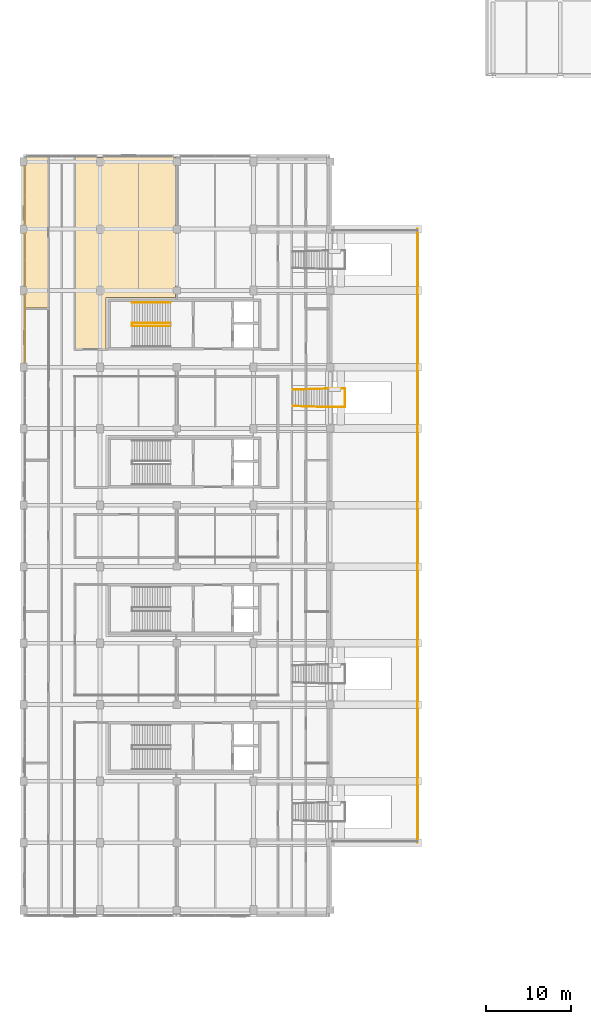
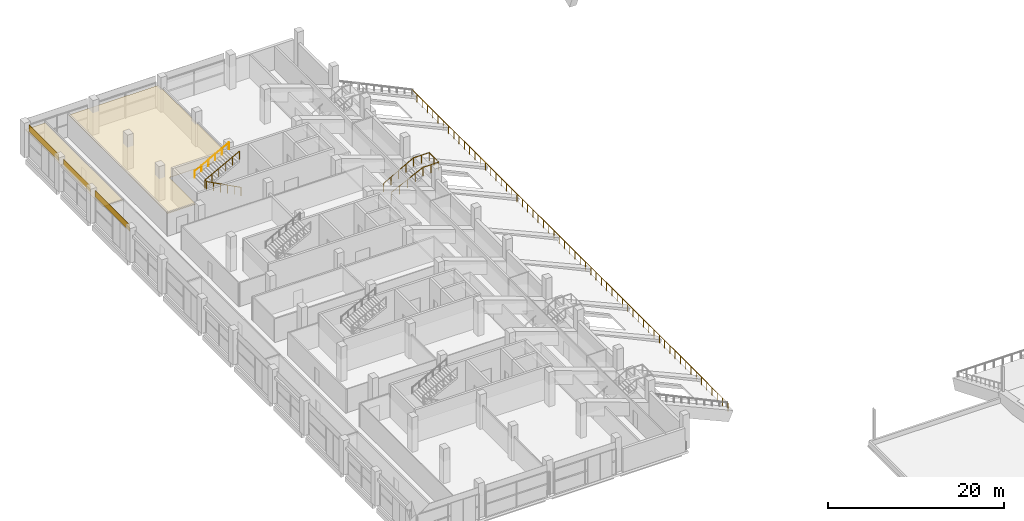
# One storey, part 61 of 66: 5 coverings, 4 railings.
"""IFC4 building model written with IfcOpenShell, lengths in metres."""

import ifcopenshell
import ifcopenshell.guid

model = None  # the IFC model being written
_history = None  # IfcOwnerHistory: only IFC2X3 demands one
_inside = {}  # id of a spatial element -> (the spatial element, [elements in it])
_under = {}  # id of a project, library or spatial element -> (it, [spatial elements below it])
_declared = {}  # id of a project -> (the project, [libraries it declares])
_typed = {}  # id of a type object -> (the type object, [elements of that type])
_made_of = {}  # id of a material, layer set ... -> (it, [elements and type objects made of it])


def new_model(schema):
    """Start an empty IFC model of exactly this schema.

    Asked for "IFC4X3", IfcOpenShell would pick the latest addendum, in which some entities
    have other attributes; the version numbers below select the first issue.
    IFC2X3 requires an IfcOwnerHistory on every rooted entity: one is made here for all.
    """
    global model, _history
    if schema == "IFC4X3":
        model = ifcopenshell.file(schema_version=(4, 3, 0, 0))
    else:
        model = ifcopenshell.file(schema=schema)
    _inside.clear()
    _under.clear()
    _declared.clear()
    _typed.clear()
    _made_of.clear()
    _history = None
    if model.schema == "IFC2X3":
        org = make("IfcOrganization", Name="unknown")
        user = make(
            "IfcPersonAndOrganization",
            ThePerson=make("IfcPerson", FamilyName="unknown"),
            TheOrganization=org,
        )
        app = make(
            "IfcApplication",
            ApplicationDeveloper=org,
            Version="unknown",
            ApplicationFullName="unknown",
            ApplicationIdentifier="unknown",
        )
        _history = make(
            "IfcOwnerHistory",
            OwningUser=user,
            OwningApplication=app,
            ChangeAction="ADDED",
            CreationDate=0,
        )
    return model


def make(cls, **values):
    """One entity of the class cls with the attributes given. An attribute that is None is left unset."""
    return model.create_entity(
        cls, **{name: value for name, value in values.items() if value is not None}
    )


def rooted(cls, **values):
    """An entity with a GlobalId (a new one), such as an element, a storey or a relation."""
    return make(cls, GlobalId=ifcopenshell.guid.new(), OwnerHistory=_history, **values)


def si_unit(unit_type, name, prefix=None):
    """IfcSIUnit, for example si_unit("LENGTHUNIT", "METRE", prefix="MILLI")."""
    return make("IfcSIUnit", UnitType=unit_type, Prefix=prefix, Name=name)


def assignment(units):
    """IfcUnitAssignment: the units of a project."""
    return None if units is None else make("IfcUnitAssignment", Units=units)


def point(xyz):
    """IfcCartesianPoint."""
    return None if xyz is None else make("IfcCartesianPoint", Coordinates=xyz)


def direction(xyz):
    """IfcDirection."""
    return None if xyz is None else make("IfcDirection", DirectionRatios=xyz)


def frame(location, z_axis=None, x_axis=None):
    """IfcAxis2Placement3D, a coordinate frame: its origin and axes. An axis left out is left unset."""
    return make(
        "IfcAxis2Placement3D",
        Location=point(location),
        Axis=direction(z_axis),
        RefDirection=direction(x_axis),
    )


def frame_2d(location, x_axis=None):
    """IfcAxis2Placement2D, a coordinate frame in the plane: its origin and x axis."""
    return make(
        "IfcAxis2Placement2D", Location=point(location), RefDirection=direction(x_axis)
    )


def origin():
    """The frame at (0, 0, 0) with its axes left unset."""
    return frame((0.0, 0.0, 0.0))


def origin_2d():
    """The frame at (0, 0) in the plane with its x axis left unset."""
    return frame_2d((0.0, 0.0))


def place(relative_to, where):
    """IfcLocalPlacement: puts the frame where relative to a parent placement (None: the world)."""
    return make(
        "IfcLocalPlacement", PlacementRelTo=relative_to, RelativePlacement=where
    )


def context(
    kind, dimensions, precision=None, world=None, true_north=None, identifier=None
):
    """IfcGeometricRepresentationContext, for example the 3D "Model" context."""
    return make(
        "IfcGeometricRepresentationContext",
        ContextIdentifier=identifier,
        ContextType=kind,
        CoordinateSpaceDimension=dimensions,
        Precision=precision,
        WorldCoordinateSystem=world,
        TrueNorth=true_north,
    )


def subcontext(parent, identifier, kind, view, scale=None):
    """IfcGeometricRepresentationSubContext, for example "Body" below "Model"."""
    return make(
        "IfcGeometricRepresentationSubContext",
        ContextIdentifier=identifier,
        ContextType=kind,
        ParentContext=parent,
        TargetScale=scale,
        TargetView=view,
    )


def project(units=None, contexts=None):
    """IfcProject with its units and contexts."""
    return rooted(
        "IfcProject",
        Name="project",
        RepresentationContexts=contexts,
        UnitsInContext=assignment(units),
    )


def spatial(cls, under=None, at=None, **own):
    """A site, building, storey or space (cls), placed at a placement, below another one or the project."""
    s = rooted(cls, ObjectPlacement=at, **own)
    if under is not None:
        _under.setdefault(under.id(), (under, []))[1].append(s)
    return s


def polyline(points):
    """IfcPolyline through the points."""
    return make("IfcPolyline", Points=[point(p) for p in points])


def profile(cls, at=None, kind="AREA", **sizes):
    """A parametric profile (cls). Its sizes go by their IFC names, for example OverallWidth=200.0."""
    return make(cls, ProfileType=kind, Position=at, **sizes)


def rectangle(**sizes):
    """IfcRectangleProfileDef."""
    return profile("IfcRectangleProfileDef", **sizes)


def circle(**sizes):
    """IfcCircleProfileDef."""
    return profile("IfcCircleProfileDef", **sizes)


def outline(outer, holes=None, kind="AREA"):
    """IfcArbitraryClosedProfileDef: a profile drawn as a closed curve; with holes, ...WithVoids."""
    if holes is None:
        return make("IfcArbitraryClosedProfileDef", ProfileType=kind, OuterCurve=outer)
    return make(
        "IfcArbitraryProfileDefWithVoids",
        ProfileType=kind,
        OuterCurve=outer,
        InnerCurves=holes,
    )


def extrude(swept, where, along, depth):
    """IfcExtrudedAreaSolid: the profile swept, set in the frame where, extruded along a direction by depth."""
    return make(
        "IfcExtrudedAreaSolid",
        SweptArea=swept,
        Position=where,
        ExtrudedDirection=direction(along),
        Depth=depth,
    )


def shape(context_of_items, identifier, shape_type, items):
    """IfcShapeRepresentation: the items that make up one representation, for example the "Body"."""
    return make(
        "IfcShapeRepresentation",
        ContextOfItems=context_of_items,
        RepresentationIdentifier=identifier,
        RepresentationType=shape_type,
        Items=items,
    )


def material(Name=None, Category=None):
    """IfcMaterial."""
    return make("IfcMaterial", Name=Name, Category=Category)


def layer(
    of_material, thickness, ventilated=None, Name=None, Category=None, Priority=None
):
    """IfcMaterialLayer: one layer of a wall or slab, of a material (None: an air gap)."""
    return make(
        "IfcMaterialLayer",
        Material=of_material,
        LayerThickness=thickness,
        IsVentilated=ventilated,
        Name=Name,
        Category=Category,
        Priority=Priority,
    )


def layer_set(layers, Name=None):
    """IfcMaterialLayerSet."""
    return make("IfcMaterialLayerSet", MaterialLayers=layers, LayerSetName=Name)


def made_of(thing, what):
    """Note that an element or type object is made of a material, layer set ...; save() writes the relation."""
    if what is not None:
        _made_of.setdefault(what.id(), (what, []))[1].append(thing)
    return thing


def type_object(cls, material=None, **own):
    """A type object (cls), such as IfcWallType, which elements share."""
    return made_of(rooted(cls, **own), material)


def element(
    cls,
    number,
    at=None,
    inside=None,
    cuts=None,
    type_object=None,
    material=None,
    context=None,
    identifier="Body",
    shape_type=None,
    held_by="IfcProductDefinitionShape",
    body=None,
    shapes=None,
    **own,
):
    """One element of the class cls, such as IfcWall. Its Tag is "e" and its number.

    at: its placement. inside: the storey or other place that contains it. cuts: it is an
    opening in that element (IfcRelVoidsElement). A single representation is given by context,
    identifier, shape_type and body (its items); several are given by shapes. held_by: the class
    of the entity that holds the representations. save() writes the other relations.
    """
    e = rooted(cls, Tag="e%d" % number, ObjectPlacement=at, **own)
    if body is not None:
        shapes = [shape(context, identifier, shape_type, body)]
    if shapes is not None:
        e.Representation = make(held_by, Representations=shapes)
    if inside is not None:
        _inside.setdefault(inside.id(), (inside, []))[1].append(e)
    if cuts is not None:
        rooted(
            "IfcRelVoidsElement", RelatingBuildingElement=cuts, RelatedOpeningElement=e
        )
    if type_object is not None:
        _typed.setdefault(type_object.id(), (type_object, []))[1].append(e)
    return made_of(e, material)


def aggregate(whole, parts):
    """IfcRelAggregates: a whole, such as a stair, and the parts it consists of."""
    return rooted("IfcRelAggregates", RelatingObject=whole, RelatedObjects=parts)


def save(model, path):
    """Write the relations noted so far, then the file.

    IfcRelAggregates (storeys below a building ...), IfcRelContainedInSpatialStructure (elements
    in a storey), IfcRelDefinesByType, IfcRelAssociatesMaterial and IfcRelDeclares: one each for
    every whole, place, type object, material and project.
    """
    for whole, parts in _under.values():
        aggregate(whole, parts)
    for where, things in _inside.values():
        rooted(
            "IfcRelContainedInSpatialStructure",
            RelatedElements=things,
            RelatingStructure=where,
        )
    for kind, things in _typed.values():
        rooted("IfcRelDefinesByType", RelatedObjects=things, RelatingType=kind)
    for what, things in _made_of.values():
        rooted("IfcRelAssociatesMaterial", RelatedObjects=things, RelatingMaterial=what)
    for by, libraries in _declared.values():
        rooted("IfcRelDeclares", RelatingContext=by, RelatedDefinitions=libraries)
    model.write(path)


model = new_model("IFC4")

# Units and contexts
model_context = context("Model", 3, precision=1e-05, world=origin(), true_north=direction((0.0, 1.0)))
body_context = subcontext(model_context, "Body", "Model", "MODEL_VIEW")
ifc_project = project(units=[si_unit("LENGTHUNIT", "METRE"), si_unit("AREAUNIT", "SQUARE_METRE"), si_unit("VOLUMEUNIT", "CUBIC_METRE"), si_unit("PLANEANGLEUNIT", "RADIAN"), si_unit("MASSUNIT", "GRAM", prefix="KILO"), si_unit("THERMODYNAMICTEMPERATUREUNIT", "KELVIN"), si_unit("POWERUNIT", "WATT")], contexts=[model_context])

# Site, building, storey
site_placement = place(None, origin())
site = spatial("IfcSite", under=ifc_project, at=site_placement, CompositionType="ELEMENT")
building_placement = place(site_placement, origin())
building = spatial("IfcBuilding", under=site, at=building_placement, Name="Sindhuravela Promenade Stadium", CompositionType="ELEMENT")
storey_placement = place(building_placement, frame((0.0, 0.0, 19.199951171875)))
storey = spatial("IfcBuildingStorey", under=building, at=storey_placement, Name="L04", CompositionType="ELEMENT", Elevation=19.199951171875)

# Coverings
ifc_material_1 = material(Name="Acoustic mineral-fibre ceiling tile", Category="gypsum")
ifc_layer_1 = layer(ifc_material_1, 0.02490234375)
ifc_layer_set_1 = layer_set([ifc_layer_1], Name="Acoustic mineral-fibre ceiling tile")
covering_type_1 = type_object("IfcCoveringType", Name="CV-CEIL-1", PredefinedType="CEILING", material=ifc_layer_set_1)
covering_1_placement = place(storey_placement, frame((0.0, 0.0, 3.050048828125)))
element("IfcCovering", 1, at=covering_1_placement, inside=storey, type_object=covering_type_1, Name="Acoustic ceiling Stadium Operations Office 5", PredefinedType="CEILING", context=body_context, shape_type="SweptSolid", body=[
    extrude(outline(polyline([(2.9599609375, 125.449951171875), (2.9619140625, 125.449951171875), (2.9638671875, 125.44970703125), (2.9658203125, 125.44921875), (2.9677734375, 125.448486328125), (2.969482421875, 125.447509765625), (2.97119140625, 125.446533203125), (2.97265625, 125.445556640625), (2.97412109375, 125.444091796875), (2.9755859375, 125.442626953125), (2.9765625, 125.441162109375), (2.9775390625, 125.439453125), (2.978515625, 125.437744140625), (2.97900390625, 125.435791015625), (2.9794921875, 125.433837890625), (2.97998046875, 125.431884765625), (2.97998046875, 125.429931640625), (2.97998046875, 107.778076171875), (2.97998046875, 107.77587890625), (2.9794921875, 107.774169921875), (2.97900390625, 107.772216796875), (2.978515625, 107.770263671875), (2.9775390625, 107.7685546875), (2.9765625, 107.766845703125), (2.9755859375, 107.765380859375), (2.97412109375, 107.763916015625), (2.97265625, 107.762451171875), (2.97119140625, 107.761474609375), (2.969482421875, 107.760498046875), (2.9677734375, 107.759521484375), (2.9658203125, 107.7587890625), (2.9638671875, 107.75830078125), (2.9619140625, 107.758056640625), (2.9599609375, 107.758056640625), (0.320068359375, 107.758056640625), (0.318115234375, 107.758056640625), (0.316162109375, 107.75830078125), (0.314208984375, 107.7587890625), (0.312255859375, 107.759521484375), (0.310546875, 107.760498046875), (0.308837890625, 107.761474609375), (0.307373046875, 107.762451171875), (0.305908203125, 107.763916015625), (0.304443359375, 107.765380859375), (0.303466796875, 107.766845703125), (0.302490234375, 107.7685546875), (0.301513671875, 107.770263671875), (0.30078125, 107.772216796875), (0.30029296875, 107.774169921875), (0.300048828125, 107.77587890625), (0.300048828125, 107.778076171875), (0.300048828125, 125.429931640625), (0.300048828125, 125.431884765625), (0.30029296875, 125.433837890625), (0.30078125, 125.435791015625), (0.301513671875, 125.437744140625), (0.302490234375, 125.439453125), (0.303466796875, 125.441162109375), (0.304443359375, 125.442626953125), (0.305908203125, 125.444091796875), (0.307373046875, 125.445556640625), (0.308837890625, 125.446533203125), (0.310546875, 125.447509765625), (0.312255859375, 125.448486328125), (0.314208984375, 125.44921875), (0.316162109375, 125.44970703125), (0.318115234375, 125.449951171875), (0.320068359375, 125.449951171875), (2.9599609375, 125.449951171875)])), origin(), (0.0, 0.0, 1.0), 0.02490234375),
])
ifc_layer_2 = layer(ifc_material_1, 0.044921875)
ifc_layer_set_2 = layer_set([ifc_layer_2], Name="Acoustic mineral-fibre ceiling tile")
covering_type_2 = type_object("IfcCoveringType", Name="CV-CEIL-2", PredefinedType="CEILING", material=ifc_layer_set_2)
covering_2_placement = place(storey_placement, frame((0.0, 0.0, 3.050048828125)))
element("IfcCovering", 2, at=covering_2_placement, inside=storey, type_object=covering_type_2, Name="Acoustic ceiling Upper Cantilevered Tier Stands West", PredefinedType="CEILING", context=body_context, shape_type="SweptSolid", body=[
    extrude(outline(polyline([(9.719970703125, 108.97998046875), (9.719970703125, 102.889892578125), (9.719970703125, 102.887939453125), (9.719482421875, 102.885986328125), (9.718994140625, 102.88427734375), (9.718505859375, 102.88232421875), (9.717529296875, 102.880615234375), (9.716552734375, 102.87890625), (9.715576171875, 102.877197265625), (9.714111328125, 102.8759765625), (9.712646484375, 102.87451171875), (9.711181640625, 102.873291015625), (9.70947265625, 102.872314453125), (9.707763671875, 102.87158203125), (9.705810546875, 102.870849609375), (9.703857421875, 102.870361328125), (9.701904296875, 102.8701171875), (9.699951171875, 102.8701171875), (6.0400390625, 102.8701171875), (6.0380859375, 102.8701171875), (6.0361328125, 102.870361328125), (6.0341796875, 102.870849609375), (6.0322265625, 102.87158203125), (6.030517578125, 102.872314453125), (6.02880859375, 102.873291015625), (6.02734375, 102.87451171875), (6.02587890625, 102.8759765625), (6.0244140625, 102.877197265625), (6.0234375, 102.87890625), (6.0224609375, 102.880615234375), (6.021484375, 102.88232421875), (6.02099609375, 102.88427734375), (6.0205078125, 102.885986328125), (6.02001953125, 102.887939453125), (6.02001953125, 102.889892578125), (6.02001953125, 125.429931640625), (6.02001953125, 125.431884765625), (6.0205078125, 125.433837890625), (6.02099609375, 125.435791015625), (6.021484375, 125.437744140625), (6.0224609375, 125.439453125), (6.0234375, 125.441162109375), (6.0244140625, 125.442626953125), (6.02587890625, 125.444091796875), (6.02734375, 125.445556640625), (6.02880859375, 125.446533203125), (6.030517578125, 125.447509765625), (6.0322265625, 125.448486328125), (6.0341796875, 125.44921875), (6.0361328125, 125.44970703125), (6.0380859375, 125.449951171875), (6.0400390625, 125.449951171875), (17.830078125, 125.449951171875), (17.83203125, 125.449951171875), (17.833984375, 125.44970703125), (17.835693359375, 125.44921875), (17.837646484375, 125.448486328125), (17.83935546875, 125.447509765625), (17.841064453125, 125.446533203125), (17.8427734375, 125.445556640625), (17.843994140625, 125.444091796875), (17.845458984375, 125.442626953125), (17.8466796875, 125.441162109375), (17.84765625, 125.439453125), (17.848388671875, 125.437744140625), (17.84912109375, 125.435791015625), (17.849609375, 125.433837890625), (17.849853515625, 125.431884765625), (17.85009765625, 125.429931640625), (17.85009765625, 109.0), (17.849853515625, 108.998046875), (17.849609375, 108.99609375), (17.84912109375, 108.994140625), (17.848388671875, 108.9921875), (17.84765625, 108.990478515625), (17.8466796875, 108.989013671875), (17.845458984375, 108.9873046875), (17.843994140625, 108.98583984375), (17.8427734375, 108.984619140625), (17.841064453125, 108.9833984375), (17.83935546875, 108.982421875), (17.837646484375, 108.9814453125), (17.835693359375, 108.98095703125), (17.833984375, 108.98046875), (17.83203125, 108.97998046875), (17.830078125, 108.97998046875), (9.719970703125, 108.97998046875)])), origin(), (0.0, 0.0, 1.0), 0.044921875),
])
ifc_material_2 = material(Name="Polychrome trencadis ceramic mosaic", Category="masonry")
ifc_layer_3 = layer(ifc_material_2, 0.034912109375)
ifc_layer_set_3 = layer_set([ifc_layer_3], Name="Polychrome trencadis ceramic mosaic")
covering_type_3 = type_object("IfcCoveringType", Name="CV-TRENC-1", PredefinedType="CLADDING", material=ifc_layer_set_3)
covering_3_placement = place(storey_placement, frame((0.179931640625, 113.39990234375, 3.55517578125), z_axis=(0.0, 0.0, 1.0), x_axis=(0.0, 1.0, 0.0)))
element("IfcCovering", 3, at=covering_3_placement, inside=storey, type_object=covering_type_3, Name="Trencadis ceramic mosaic spandrel frieze WEST L04-110", PredefinedType="CLADDING", context=body_context, shape_type="SweptSolid", body=[
    extrude(rectangle(XDim=6.070068359375, YDim=0.034912109375, at=origin_2d()), origin(), (0.0, 0.0, 1.0), 0.905029296875),
])
ifc_layer_4 = layer(ifc_material_2, 0.050048828125)
ifc_layer_set_4 = layer_set([ifc_layer_4], Name="Polychrome trencadis ceramic mosaic")
covering_type_4 = type_object("IfcCoveringType", Name="CV-TRENC-2", PredefinedType="CLADDING", material=ifc_layer_set_4)
covering_4_placement = place(storey_placement, frame((0.179931640625, 105.300048828125, 3.55517578125), z_axis=(0.0, 0.0, 1.0), x_axis=(0.0, 1.0, 0.0)))
element("IfcCovering", 4, at=covering_4_placement, inside=storey, type_object=covering_type_4, Name="Trencadis ceramic mosaic spandrel frieze WEST L04-109", PredefinedType="CLADDING", context=body_context, shape_type="SweptSolid", body=[
    extrude(rectangle(XDim=7.8701171875, YDim=0.050048828125, at=origin_2d()), origin(), (0.0, 0.0, 1.0), 0.905029296875),
])
covering_5_placement = place(storey_placement, frame((0.179931640625, 120.949951171875, 3.55517578125), z_axis=(0.0, 0.0, 1.0), x_axis=(0.0, 1.0, 0.0)))
element("IfcCovering", 5, at=covering_5_placement, inside=storey, type_object=covering_type_4, Name="Trencadis ceramic mosaic spandrel frieze WEST L04-111", PredefinedType="CLADDING", context=body_context, shape_type="SweptSolid", body=[
    extrude(rectangle(XDim=6.77001953125, YDim=0.050048828125, at=origin_2d()), origin(), (0.0, 0.0, 1.0), 0.905029296875),
])

# Railings
ifc_material_3 = material(Name="Architectural wrought steel E350", Category="steel")
railing_type_1 = type_object("IfcRailingType", Name="RL-GRD-1150", PredefinedType="GUARDRAIL", material=ifc_material_3)
railing_1_placement = place(storey_placement, frame((46.25, 45.0, -3.39990234375)))
element("IfcRailing", 6, at=railing_1_placement, inside=storey, type_object=railing_type_1, Name="Stand bowl crowd barrier GR01-105", PredefinedType="GUARDRAIL", context=body_context, shape_type="SweptSolid", body=[
    extrude(circle(Radius=0.02392578125, at=origin_2d()), frame((0.0, 0.0, 1.1259765625), z_axis=(0.0, 1.0, 0.0), x_axis=(-1.0, 0.0, 0.0)), (0.0, 0.0, 1.0), 72.0),
    extrude(circle(Radius=0.02099609375, at=origin_2d()), origin(), (0.0, 0.0, 1.0), 1.101806640625),
    extrude(circle(Radius=0.02099609375, at=origin_2d()), frame((0.0, 1.199951171875, 0.0)), (0.0, 0.0, 1.0), 1.101806640625),
    extrude(circle(Radius=0.02099609375, at=origin_2d()), frame((0.0, 2.39990234375, 0.0)), (0.0, 0.0, 1.0), 1.101806640625),
    extrude(circle(Radius=0.02099609375, at=origin_2d()), frame((0.0, 3.60009765625, 0.0)), (0.0, 0.0, 1.0), 1.101806640625),
    extrude(circle(Radius=0.02099609375, at=origin_2d()), frame((0.0, 4.800048828125, 0.0)), (0.0, 0.0, 1.0), 1.101806640625),
    extrude(circle(Radius=0.02099609375, at=origin_2d()), frame((0.0, 6.0, 0.0)), (0.0, 0.0, 1.0), 1.101806640625),
    extrude(circle(Radius=0.02099609375, at=origin_2d()), frame((0.0, 7.199951171875, 0.0)), (0.0, 0.0, 1.0), 1.101806640625),
    extrude(circle(Radius=0.02099609375, at=origin_2d()), frame((0.0, 8.39990234375, 0.0)), (0.0, 0.0, 1.0), 1.101806640625),
    extrude(circle(Radius=0.02099609375, at=origin_2d()), frame((0.0, 9.60009765625, 0.0)), (0.0, 0.0, 1.0), 1.101806640625),
    extrude(circle(Radius=0.02099609375, at=origin_2d()), frame((0.0, 10.800048828125, 0.0)), (0.0, 0.0, 1.0), 1.101806640625),
    extrude(circle(Radius=0.02099609375, at=origin_2d()), frame((0.0, 12.0, 0.0)), (0.0, 0.0, 1.0), 1.101806640625),
    extrude(circle(Radius=0.02099609375, at=origin_2d()), frame((0.0, 13.199951171875, 0.0)), (0.0, 0.0, 1.0), 1.101806640625),
    extrude(circle(Radius=0.02099609375, at=origin_2d()), frame((0.0, 14.39990234375, 0.0)), (0.0, 0.0, 1.0), 1.101806640625),
    extrude(circle(Radius=0.02099609375, at=origin_2d()), frame((0.0, 15.60009765625, 0.0)), (0.0, 0.0, 1.0), 1.101806640625),
    extrude(circle(Radius=0.02099609375, at=origin_2d()), frame((0.0, 16.800048828125, 0.0)), (0.0, 0.0, 1.0), 1.101806640625),
    extrude(circle(Radius=0.02099609375, at=origin_2d()), frame((0.0, 18.0, 0.0)), (0.0, 0.0, 1.0), 1.101806640625),
    extrude(circle(Radius=0.02099609375, at=origin_2d()), frame((0.0, 19.199951171875, 0.0)), (0.0, 0.0, 1.0), 1.101806640625),
    extrude(circle(Radius=0.02099609375, at=origin_2d()), frame((0.0, 20.39990234375, 0.0)), (0.0, 0.0, 1.0), 1.101806640625),
    extrude(circle(Radius=0.02099609375, at=origin_2d()), frame((0.0, 21.60009765625, 0.0)), (0.0, 0.0, 1.0), 1.101806640625),
    extrude(circle(Radius=0.02099609375, at=origin_2d()), frame((0.0, 22.800048828125, 0.0)), (0.0, 0.0, 1.0), 1.101806640625),
    extrude(circle(Radius=0.02099609375, at=origin_2d()), frame((0.0, 24.0, 0.0)), (0.0, 0.0, 1.0), 1.101806640625),
    extrude(circle(Radius=0.02099609375, at=origin_2d()), frame((0.0, 25.199951171875, 0.0)), (0.0, 0.0, 1.0), 1.101806640625),
    extrude(circle(Radius=0.02099609375, at=origin_2d()), frame((0.0, 26.39990234375, 0.0)), (0.0, 0.0, 1.0), 1.101806640625),
    extrude(circle(Radius=0.02099609375, at=origin_2d()), frame((0.0, 27.60009765625, 0.0)), (0.0, 0.0, 1.0), 1.101806640625),
    extrude(circle(Radius=0.02099609375, at=origin_2d()), frame((0.0, 28.800048828125, 0.0)), (0.0, 0.0, 1.0), 1.101806640625),
    extrude(circle(Radius=0.02099609375, at=origin_2d()), frame((0.0, 30.0, 0.0)), (0.0, 0.0, 1.0), 1.101806640625),
    extrude(circle(Radius=0.02099609375, at=origin_2d()), frame((0.0, 31.199951171875, 0.0)), (0.0, 0.0, 1.0), 1.101806640625),
    extrude(circle(Radius=0.02099609375, at=origin_2d()), frame((0.0, 32.39990234375, 0.0)), (0.0, 0.0, 1.0), 1.101806640625),
    extrude(circle(Radius=0.02099609375, at=origin_2d()), frame((0.0, 33.60009765625, 0.0)), (0.0, 0.0, 1.0), 1.101806640625),
    extrude(circle(Radius=0.02099609375, at=origin_2d()), frame((0.0, 34.800048828125, 0.0)), (0.0, 0.0, 1.0), 1.101806640625),
    extrude(circle(Radius=0.02099609375, at=origin_2d()), frame((0.0, 36.0, 0.0)), (0.0, 0.0, 1.0), 1.101806640625),
    extrude(circle(Radius=0.02099609375, at=origin_2d()), frame((0.0, 37.199951171875, 0.0)), (0.0, 0.0, 1.0), 1.101806640625),
    extrude(circle(Radius=0.02099609375, at=origin_2d()), frame((0.0, 38.39990234375, 0.0)), (0.0, 0.0, 1.0), 1.101806640625),
    extrude(circle(Radius=0.02099609375, at=origin_2d()), frame((0.0, 39.60009765625, 0.0)), (0.0, 0.0, 1.0), 1.101806640625),
    extrude(circle(Radius=0.02099609375, at=origin_2d()), frame((0.0, 40.800048828125, 0.0)), (0.0, 0.0, 1.0), 1.101806640625),
    extrude(circle(Radius=0.02099609375, at=origin_2d()), frame((0.0, 42.0, 0.0)), (0.0, 0.0, 1.0), 1.101806640625),
    extrude(circle(Radius=0.02099609375, at=origin_2d()), frame((0.0, 43.199951171875, 0.0)), (0.0, 0.0, 1.0), 1.101806640625),
    extrude(circle(Radius=0.02099609375, at=origin_2d()), frame((0.0, 44.39990234375, 0.0)), (0.0, 0.0, 1.0), 1.101806640625),
    extrude(circle(Radius=0.02099609375, at=origin_2d()), frame((0.0, 45.60009765625, 0.0)), (0.0, 0.0, 1.0), 1.101806640625),
    extrude(circle(Radius=0.02099609375, at=origin_2d()), frame((0.0, 46.800048828125, 0.0)), (0.0, 0.0, 1.0), 1.101806640625),
    extrude(circle(Radius=0.02099609375, at=origin_2d()), frame((0.0, 48.0, 0.0)), (0.0, 0.0, 1.0), 1.101806640625),
    extrude(circle(Radius=0.02099609375, at=origin_2d()), frame((0.0, 49.199951171875, 0.0)), (0.0, 0.0, 1.0), 1.101806640625),
    extrude(circle(Radius=0.02099609375, at=origin_2d()), frame((0.0, 50.39990234375, 0.0)), (0.0, 0.0, 1.0), 1.101806640625),
    extrude(circle(Radius=0.02099609375, at=origin_2d()), frame((0.0, 51.60009765625, 0.0)), (0.0, 0.0, 1.0), 1.101806640625),
    extrude(circle(Radius=0.02099609375, at=origin_2d()), frame((0.0, 52.800048828125, 0.0)), (0.0, 0.0, 1.0), 1.101806640625),
    extrude(circle(Radius=0.02099609375, at=origin_2d()), frame((0.0, 54.0, 0.0)), (0.0, 0.0, 1.0), 1.101806640625),
    extrude(circle(Radius=0.02099609375, at=origin_2d()), frame((0.0, 55.199951171875, 0.0)), (0.0, 0.0, 1.0), 1.101806640625),
    extrude(circle(Radius=0.02099609375, at=origin_2d()), frame((0.0, 56.39990234375, 0.0)), (0.0, 0.0, 1.0), 1.101806640625),
    extrude(circle(Radius=0.02099609375, at=origin_2d()), frame((0.0, 57.60009765625, 0.0)), (0.0, 0.0, 1.0), 1.101806640625),
    extrude(circle(Radius=0.02099609375, at=origin_2d()), frame((0.0, 58.800048828125, 0.0)), (0.0, 0.0, 1.0), 1.101806640625),
    extrude(circle(Radius=0.02099609375, at=origin_2d()), frame((0.0, 60.0, 0.0)), (0.0, 0.0, 1.0), 1.101806640625),
    extrude(circle(Radius=0.02099609375, at=origin_2d()), frame((0.0, 61.199951171875, 0.0)), (0.0, 0.0, 1.0), 1.101806640625),
    extrude(circle(Radius=0.02099609375, at=origin_2d()), frame((0.0, 62.39990234375, 0.0)), (0.0, 0.0, 1.0), 1.101806640625),
    extrude(circle(Radius=0.02099609375, at=origin_2d()), frame((0.0, 63.60009765625, 0.0)), (0.0, 0.0, 1.0), 1.101806640625),
    extrude(circle(Radius=0.02099609375, at=origin_2d()), frame((0.0, 64.800048828125, 0.0)), (0.0, 0.0, 1.0), 1.101806640625),
    extrude(circle(Radius=0.02099609375, at=origin_2d()), frame((0.0, 66.0, 0.0)), (0.0, 0.0, 1.0), 1.101806640625),
    extrude(circle(Radius=0.02099609375, at=origin_2d()), frame((0.0, 67.199951171875, 0.0)), (0.0, 0.0, 1.0), 1.101806640625),
    extrude(circle(Radius=0.02099609375, at=origin_2d()), frame((0.0, 68.39990234375, 0.0)), (0.0, 0.0, 1.0), 1.101806640625),
    extrude(circle(Radius=0.02099609375, at=origin_2d()), frame((0.0, 69.60009765625, 0.0)), (0.0, 0.0, 1.0), 1.101806640625),
    extrude(circle(Radius=0.02099609375, at=origin_2d()), frame((0.0, 70.800048828125, 0.0)), (0.0, 0.0, 1.0), 1.101806640625),
    extrude(circle(Radius=0.02099609375, at=origin_2d()), frame((0.0, 72.0, 0.0)), (0.0, 0.0, 1.0), 1.101806640625),
])
railing_2_placement = place(storey_placement, frame((17.25, 105.610107421875, 0.0)))
element("IfcRailing", 7, at=railing_2_placement, inside=storey, type_object=railing_type_1, Name="Stair ST04 inner well guard (L04)", PredefinedType="GUARDRAIL", context=body_context, shape_type="SweptSolid", body=[
    extrude(circle(Radius=0.02392578125, at=origin_2d()), frame((0.0, 0.0, 1.1259765625), z_axis=(-0.8836349624059475, 0.0, 0.46817651928929505), x_axis=(0.0, -1.0, 0.0)), (0.0, 0.0, 1.0), 5.12646484375),
    extrude(circle(Radius=0.02392578125, at=origin_2d()), frame((-4.530029296875, 0.0, 3.52587890625), z_axis=(0.0, 1.0, 0.0), x_axis=(-1.0, 0.0, 0.0)), (0.0, 0.0, 1.0), 0.3798828125),
    extrude(circle(Radius=0.02392578125, at=origin_2d()), frame((-4.530029296875, 0.3798828125, 3.52587890625), z_axis=(0.8836546633431795, 0.0, 0.46813933390802775), x_axis=(0.0, 1.0, 0.0)), (0.0, 0.0, 1.0), 5.12646484375),
    extrude(circle(Radius=0.02099609375, at=origin_2d()), origin(), (0.0, 0.0, 1.0), 1.101806640625),
    extrude(circle(Radius=0.02099609375, at=origin_2d()), frame((-0.906005859375, 0.0, 0.47998046875)), (0.0, 0.0, 1.0), 1.101806640625),
    extrude(circle(Radius=0.02099609375, at=origin_2d()), frame((-1.81201171875, 0.0, 0.9599609375)), (0.0, 0.0, 1.0), 1.101806640625),
    extrude(circle(Radius=0.02099609375, at=origin_2d()), frame((-2.718017578125, 0.0, 1.440185546875)), (0.0, 0.0, 1.0), 1.101806640625),
    extrude(circle(Radius=0.02099609375, at=origin_2d()), frame((-3.6240234375, 0.0, 1.920166015625)), (0.0, 0.0, 1.0), 1.101806640625),
    extrude(circle(Radius=0.02099609375, at=origin_2d()), frame((-4.530029296875, 0.0, 2.400146484375)), (0.0, 0.0, 1.0), 1.101806640625),
    extrude(circle(Radius=0.02099609375, at=origin_2d()), frame((-4.530029296875, 0.3798828125, 2.400146484375)), (0.0, 0.0, 1.0), 1.101806640625),
    extrude(circle(Radius=0.02099609375, at=origin_2d()), frame((-3.6240234375, 0.3798828125, 2.880126953125)), (0.0, 0.0, 1.0), 1.101806640625),
    extrude(circle(Radius=0.02099609375, at=origin_2d()), frame((-2.718017578125, 0.3798828125, 3.360107421875)), (0.0, 0.0, 1.0), 1.101806640625),
    extrude(circle(Radius=0.02099609375, at=origin_2d()), frame((-1.81201171875, 0.3798828125, 3.840087890625)), (0.0, 0.0, 1.0), 1.101806640625),
    extrude(circle(Radius=0.02099609375, at=origin_2d()), frame((-0.906005859375, 0.3798828125, 4.320068359375)), (0.0, 0.0, 1.0), 1.101806640625),
    extrude(circle(Radius=0.02099609375, at=origin_2d()), frame((0.0, 0.3798828125, 4.800048828125)), (0.0, 0.0, 1.0), 1.101806640625),
])
railing_3_placement = place(storey_placement, frame((31.64990234375, 96.239990234375, 0.0)))
element("IfcRailing", 8, at=railing_3_placement, inside=storey, type_object=railing_type_1, Name="Vomitory VS14 flight & platform guard", PredefinedType="GUARDRAIL", context=body_context, shape_type="SweptSolid", body=[
    extrude(circle(Radius=0.02392578125, at=origin_2d()), frame((0.0, 0.0, 1.1259765625), z_axis=(0.8864507420042823, -0.028569200626781255, 0.4619403454728804), x_axis=(0.032212026586737615, 0.9994810580211989, 0.0)), (0.0, 0.0, 1.0), 4.546142578125),
    extrude(circle(Radius=0.02392578125, at=origin_2d()), frame((4.030029296875, -0.1298828125, 3.22607421875), z_axis=(1.0, 0.0, 0.0), x_axis=(0.0, 1.0, 0.0)), (0.0, 0.0, 1.0), 2.070068359375),
    extrude(circle(Radius=0.02392578125, at=origin_2d()), frame((6.10009765625, -0.1298828125, 3.22607421875), z_axis=(0.0, 1.0, 0.0), x_axis=(-1.0, 0.0, 0.0)), (0.0, 0.0, 1.0), 2.179931640625),
    extrude(circle(Radius=0.02392578125, at=origin_2d()), frame((6.10009765625, 2.050048828125, 3.22607421875), z_axis=(-1.0, 0.0, 0.0), x_axis=(0.0, -1.0, 0.0)), (0.0, 0.0, 1.0), 2.070068359375),
    extrude(circle(Radius=0.02392578125, at=origin_2d()), frame((4.030029296875, 2.050048828125, 3.22607421875), z_axis=(-0.8864493807284547, -0.028622858177031946, -0.4619396360953636), x_axis=(0.032272512505375314, -0.999479106803434, 0.0)), (0.0, 0.0, 1.0), 4.546142578125),
    extrude(circle(Radius=0.02099609375, at=origin_2d()), origin(), (0.0, 0.0, 1.0), 1.101806640625),
    extrude(circle(Radius=0.02099609375, at=origin_2d()), frame((1.007568359375, -0.032470703125, 0.52490234375)), (0.0, 0.0, 1.0), 1.101806640625),
    extrude(circle(Radius=0.02099609375, at=origin_2d()), frame((2.01513671875, -0.06494140625, 1.050048828125)), (0.0, 0.0, 1.0), 1.101806640625),
    extrude(circle(Radius=0.02099609375, at=origin_2d()), frame((3.0224609375, -0.097412109375, 1.5751953125)), (0.0, 0.0, 1.0), 1.101806640625),
    extrude(circle(Radius=0.02099609375, at=origin_2d()), frame((4.030029296875, -0.1298828125, 2.10009765625)), (0.0, 0.0, 1.0), 1.101806640625),
    extrude(circle(Radius=0.02099609375, at=origin_2d()), frame((5.06494140625, -0.1298828125, 2.10009765625)), (0.0, 0.0, 1.0), 1.101806640625),
    extrude(circle(Radius=0.02099609375, at=origin_2d()), frame((6.10009765625, -0.1298828125, 2.10009765625)), (0.0, 0.0, 1.0), 1.101806640625),
    extrude(circle(Radius=0.02099609375, at=origin_2d()), frame((6.10009765625, 0.9599609375, 2.10009765625)), (0.0, 0.0, 1.0), 1.101806640625),
    extrude(circle(Radius=0.02099609375, at=origin_2d()), frame((6.10009765625, 2.050048828125, 2.10009765625)), (0.0, 0.0, 1.0), 1.101806640625),
    extrude(circle(Radius=0.02099609375, at=origin_2d()), frame((5.06494140625, 2.050048828125, 2.10009765625)), (0.0, 0.0, 1.0), 1.101806640625),
    extrude(circle(Radius=0.02099609375, at=origin_2d()), frame((4.030029296875, 2.050048828125, 2.10009765625)), (0.0, 0.0, 1.0), 1.101806640625),
    extrude(circle(Radius=0.02099609375, at=origin_2d()), frame((3.0224609375, 2.017578125, 1.5751953125)), (0.0, 0.0, 1.0), 1.101806640625),
    extrude(circle(Radius=0.02099609375, at=origin_2d()), frame((2.01513671875, 1.98486328125, 1.050048828125)), (0.0, 0.0, 1.0), 1.101806640625),
    extrude(circle(Radius=0.02099609375, at=origin_2d()), frame((1.007568359375, 1.952392578125, 0.52490234375)), (0.0, 0.0, 1.0), 1.101806640625),
    extrude(circle(Radius=0.02099609375, at=origin_2d()), frame((0.0, 1.919921875, 0.0)), (0.0, 0.0, 1.0), 1.101806640625),
])
railing_type_2 = type_object("IfcRailingType", Name="RL-HND-920", PredefinedType="HANDRAIL", material=ifc_material_3)
railing_4_placement = place(storey_placement, frame((12.75, 108.3798828125, 2.400146484375)))
element("IfcRailing", 9, at=railing_4_placement, inside=storey, type_object=railing_type_2, Name="Stair ST04 upper wall handrail (L04)", PredefinedType="HANDRAIL", context=body_context, shape_type="SweptSolid", body=[
    extrude(circle(Radius=0.02392578125, at=origin_2d()), frame((0.0, 0.0, 0.89599609375), z_axis=(0.8823608919668723, 0.0, 0.4705733272588083), x_axis=(0.0, 1.0, 0.0)), (0.0, 0.0, 1.0), 5.099853515625),
    extrude(circle(Radius=0.02099609375, at=origin_2d()), origin(), (0.0, 0.0, 1.0), 0.871826171875),
    extrude(circle(Radius=0.02099609375, at=origin_2d()), frame((0.89990234375, 0.0, 0.47998046875)), (0.0, 0.0, 1.0), 0.871826171875),
    extrude(circle(Radius=0.02099609375, at=origin_2d()), frame((1.800048828125, 0.0, 0.9599609375)), (0.0, 0.0, 1.0), 0.871826171875),
    extrude(circle(Radius=0.02099609375, at=origin_2d()), frame((2.699951171875, 0.0, 1.43994140625)), (0.0, 0.0, 1.0), 0.871826171875),
    extrude(circle(Radius=0.02099609375, at=origin_2d()), frame((3.60009765625, 0.0, 1.919921875)), (0.0, 0.0, 1.0), 0.871826171875),
    extrude(circle(Radius=0.02099609375, at=origin_2d()), frame((4.5, 0.0, 2.39990234375)), (0.0, 0.0, 1.0), 0.871826171875),
])

save(model, "model.ifc")
